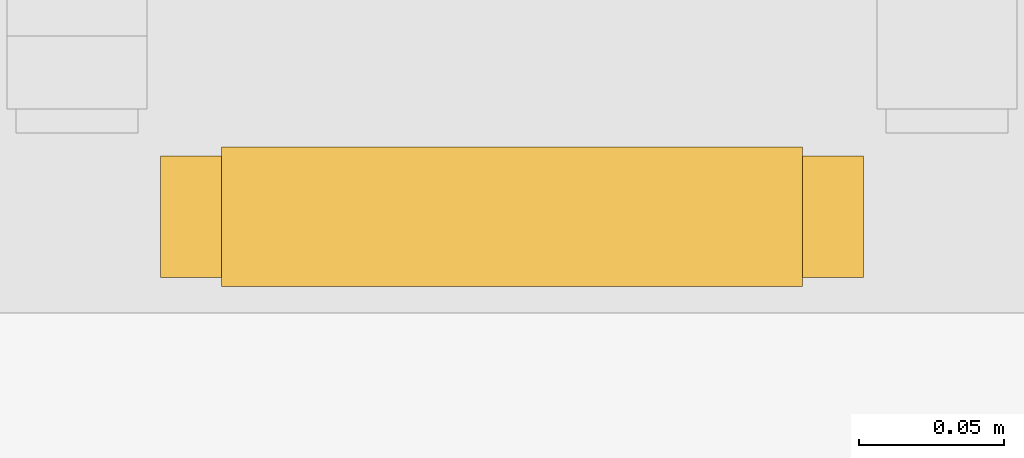
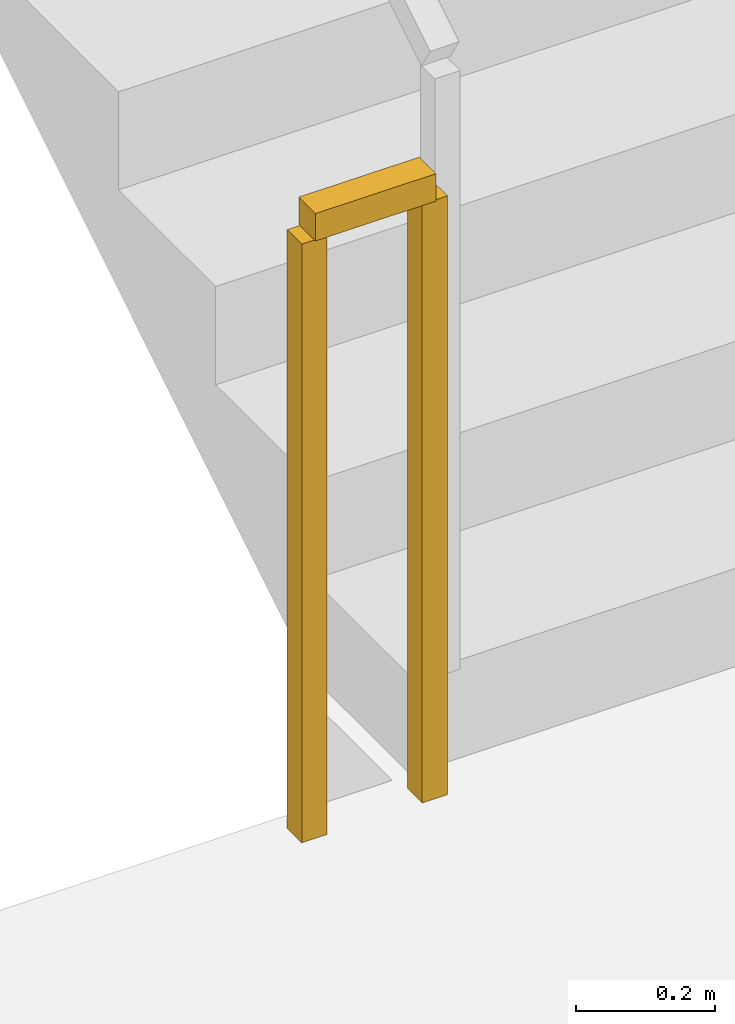
# One storey, part 8 of 11: 1 railing.
"""IFC4 building model written with IfcOpenShell, lengths in metres."""

from ifc_helpers import new_model, si_unit, direction, frame, origin, origin_2d, place, context, subcontext, project, spatial, rectangle, extrude, material, type_object, element, save


model = new_model("IFC4")

# Units and contexts
model_context = context("Model", 3, precision=1e-05, world=origin(), true_north=direction((0.0, 1.0)))
body_context = subcontext(model_context, "Body", "Model", "MODEL_VIEW")
ifc_project = project(units=[si_unit("LENGTHUNIT", "METRE"), si_unit("AREAUNIT", "SQUARE_METRE"), si_unit("VOLUMEUNIT", "CUBIC_METRE"), si_unit("PLANEANGLEUNIT", "RADIAN"), si_unit("MASSUNIT", "GRAM", prefix="KILO")], contexts=[model_context])

# Site, building, storey
site_placement = place(None, origin())
site = spatial("IfcSite", under=ifc_project, at=site_placement, CompositionType="ELEMENT")
building_placement = place(site_placement, origin())
building = spatial("IfcBuilding", under=site, at=building_placement, Name="Haldorwick Loom Tower", CompositionType="ELEMENT")
storey_placement = place(building_placement, frame((0.0, 0.0, 234.0)))
storey = spatial("IfcBuildingStorey", under=building, at=storey_placement, Name="L63", CompositionType="ELEMENT", Elevation=234.0)

# Railing
ifc_material = material(Name="Steel CSA G40.21 350W", Category="steel")
railing_type = type_object("IfcRailingType", Name="ARC-RLG-GUARD112", PredefinedType="GUARDRAIL", material=ifc_material)
railing_placement = place(storey_placement, frame((31.85009765625, 28.35009765625, 0.0)))
element("IfcRailing", 1, at=railing_placement, inside=storey, type_object=railing_type, Name="L63 ST-03 stair guard 4", PredefinedType="GUARDRAIL", context=body_context, shape_type="SweptSolid", body=[
    extrude(rectangle(XDim=0.048095703125, YDim=0.048095703125, at=origin_2d()), frame((0.0, 0.0, 1.076171875), z_axis=(-1.0, 0.0, 0.0), x_axis=(0.0, -1.0, 0.0)), (0.0, 0.0, 1.0), 0.2001953125),
    extrude(rectangle(XDim=0.0419921875, YDim=0.0419921875, at=origin_2d()), origin(), (0.0, 0.0, 1.0), 1.052001953125),
    extrude(rectangle(XDim=0.0419921875, YDim=0.0419921875, at=origin_2d()), frame((-0.2001953125, 0.0, 0.0)), (0.0, 0.0, 1.0), 1.052001953125),
])

save(model, "model.ifc")
